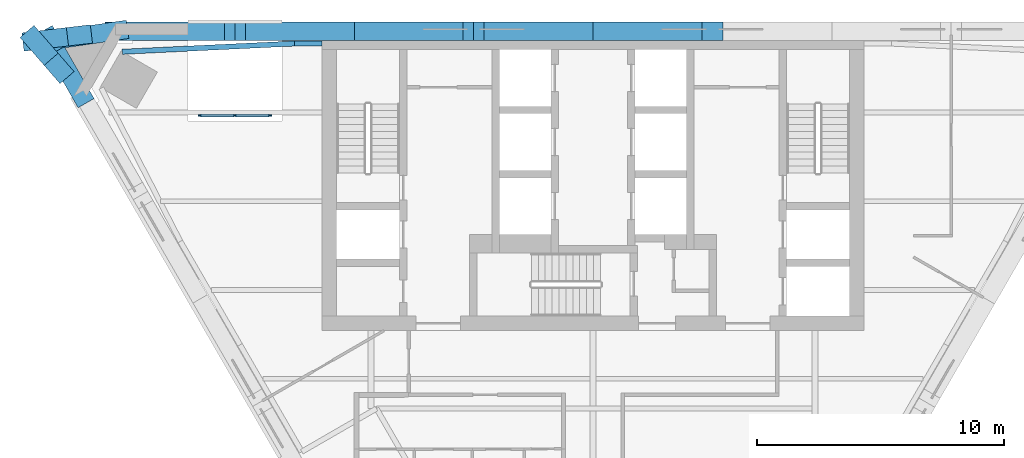
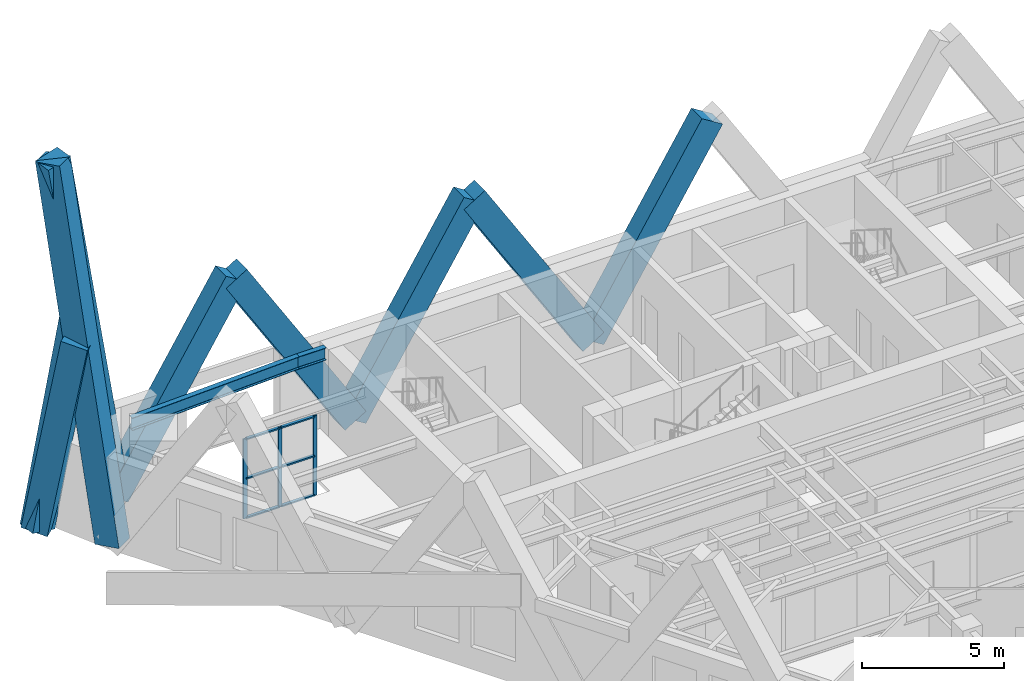
# One storey, part 2 of 9: 18 members, 2 beams, 1 element without a shape of its own.
"""IFC4 building model written with IfcOpenShell, lengths in metres."""

import ifcopenshell
import ifcopenshell.guid

model = None  # the IFC model being written
_history = None  # IfcOwnerHistory: only IFC2X3 demands one
_inside = {}  # id of a spatial element -> (the spatial element, [elements in it])
_under = {}  # id of a project, library or spatial element -> (it, [spatial elements below it])
_declared = {}  # id of a project -> (the project, [libraries it declares])
_typed = {}  # id of a type object -> (the type object, [elements of that type])
_made_of = {}  # id of a material, layer set ... -> (it, [elements and type objects made of it])


def new_model(schema):
    """Start an empty IFC model of exactly this schema.

    Asked for "IFC4X3", IfcOpenShell would pick the latest addendum, in which some entities
    have other attributes; the version numbers below select the first issue.
    IFC2X3 requires an IfcOwnerHistory on every rooted entity: one is made here for all.
    """
    global model, _history
    if schema == "IFC4X3":
        model = ifcopenshell.file(schema_version=(4, 3, 0, 0))
    else:
        model = ifcopenshell.file(schema=schema)
    _inside.clear()
    _under.clear()
    _declared.clear()
    _typed.clear()
    _made_of.clear()
    _history = None
    if model.schema == "IFC2X3":
        org = make("IfcOrganization", Name="unknown")
        user = make(
            "IfcPersonAndOrganization",
            ThePerson=make("IfcPerson", FamilyName="unknown"),
            TheOrganization=org,
        )
        app = make(
            "IfcApplication",
            ApplicationDeveloper=org,
            Version="unknown",
            ApplicationFullName="unknown",
            ApplicationIdentifier="unknown",
        )
        _history = make(
            "IfcOwnerHistory",
            OwningUser=user,
            OwningApplication=app,
            ChangeAction="ADDED",
            CreationDate=0,
        )
    return model


def make(cls, **values):
    """One entity of the class cls with the attributes given. An attribute that is None is left unset."""
    return model.create_entity(
        cls, **{name: value for name, value in values.items() if value is not None}
    )


def rooted(cls, **values):
    """An entity with a GlobalId (a new one), such as an element, a storey or a relation."""
    return make(cls, GlobalId=ifcopenshell.guid.new(), OwnerHistory=_history, **values)


def si_unit(unit_type, name, prefix=None):
    """IfcSIUnit, for example si_unit("LENGTHUNIT", "METRE", prefix="MILLI")."""
    return make("IfcSIUnit", UnitType=unit_type, Prefix=prefix, Name=name)


def assignment(units):
    """IfcUnitAssignment: the units of a project."""
    return None if units is None else make("IfcUnitAssignment", Units=units)


def point(xyz):
    """IfcCartesianPoint."""
    return None if xyz is None else make("IfcCartesianPoint", Coordinates=xyz)


def direction(xyz):
    """IfcDirection."""
    return None if xyz is None else make("IfcDirection", DirectionRatios=xyz)


def frame(location, z_axis=None, x_axis=None):
    """IfcAxis2Placement3D, a coordinate frame: its origin and axes. An axis left out is left unset."""
    return make(
        "IfcAxis2Placement3D",
        Location=point(location),
        Axis=direction(z_axis),
        RefDirection=direction(x_axis),
    )


def frame_2d(location, x_axis=None):
    """IfcAxis2Placement2D, a coordinate frame in the plane: its origin and x axis."""
    return make(
        "IfcAxis2Placement2D", Location=point(location), RefDirection=direction(x_axis)
    )


def origin():
    """The frame at (0, 0, 0) with its axes left unset."""
    return frame((0.0, 0.0, 0.0))


def origin_2d():
    """The frame at (0, 0) in the plane with its x axis left unset."""
    return frame_2d((0.0, 0.0))


def place(relative_to, where):
    """IfcLocalPlacement: puts the frame where relative to a parent placement (None: the world)."""
    return make(
        "IfcLocalPlacement", PlacementRelTo=relative_to, RelativePlacement=where
    )


def context(
    kind, dimensions, precision=None, world=None, true_north=None, identifier=None
):
    """IfcGeometricRepresentationContext, for example the 3D "Model" context."""
    return make(
        "IfcGeometricRepresentationContext",
        ContextIdentifier=identifier,
        ContextType=kind,
        CoordinateSpaceDimension=dimensions,
        Precision=precision,
        WorldCoordinateSystem=world,
        TrueNorth=true_north,
    )


def subcontext(parent, identifier, kind, view, scale=None):
    """IfcGeometricRepresentationSubContext, for example "Body" below "Model"."""
    return make(
        "IfcGeometricRepresentationSubContext",
        ContextIdentifier=identifier,
        ContextType=kind,
        ParentContext=parent,
        TargetScale=scale,
        TargetView=view,
    )


def project(units=None, contexts=None):
    """IfcProject with its units and contexts."""
    return rooted(
        "IfcProject",
        Name="project",
        RepresentationContexts=contexts,
        UnitsInContext=assignment(units),
    )


def spatial(cls, under=None, at=None, **own):
    """A site, building, storey or space (cls), placed at a placement, below another one or the project."""
    s = rooted(cls, ObjectPlacement=at, **own)
    if under is not None:
        _under.setdefault(under.id(), (under, []))[1].append(s)
    return s


def profile(cls, at=None, kind="AREA", **sizes):
    """A parametric profile (cls). Its sizes go by their IFC names, for example OverallWidth=200.0."""
    return make(cls, ProfileType=kind, Position=at, **sizes)


def rectangle(**sizes):
    """IfcRectangleProfileDef."""
    return profile("IfcRectangleProfileDef", **sizes)


def i_section(**sizes):
    """IfcIShapeProfileDef."""
    return profile("IfcIShapeProfileDef", **sizes)


def extrude(swept, where, along, depth):
    """IfcExtrudedAreaSolid: the profile swept, set in the frame where, extruded along a direction by depth."""
    return make(
        "IfcExtrudedAreaSolid",
        SweptArea=swept,
        Position=where,
        ExtrudedDirection=direction(along),
        Depth=depth,
    )


def shape(context_of_items, identifier, shape_type, items):
    """IfcShapeRepresentation: the items that make up one representation, for example the "Body"."""
    return make(
        "IfcShapeRepresentation",
        ContextOfItems=context_of_items,
        RepresentationIdentifier=identifier,
        RepresentationType=shape_type,
        Items=items,
    )


def material(Name=None, Category=None):
    """IfcMaterial."""
    return make("IfcMaterial", Name=Name, Category=Category)


def material_profile(
    of_material, cross_section, Name=None, Category=None, Priority=None
):
    """IfcMaterialProfile: a cross section and its material."""
    return make(
        "IfcMaterialProfile",
        Name=Name,
        Material=of_material,
        Profile=cross_section,
        Priority=Priority,
        Category=Category,
    )


def profile_set(profiles, Name=None, composite=None):
    """IfcMaterialProfileSet."""
    return make(
        "IfcMaterialProfileSet",
        Name=Name,
        MaterialProfiles=profiles,
        CompositeProfile=composite,
    )


def made_of(thing, what):
    """Note that an element or type object is made of a material, layer set ...; save() writes the relation."""
    if what is not None:
        _made_of.setdefault(what.id(), (what, []))[1].append(thing)
    return thing


def type_object(cls, material=None, **own):
    """A type object (cls), such as IfcWallType, which elements share."""
    return made_of(rooted(cls, **own), material)


def element(
    cls,
    number,
    at=None,
    inside=None,
    cuts=None,
    type_object=None,
    material=None,
    context=None,
    identifier="Body",
    shape_type=None,
    held_by="IfcProductDefinitionShape",
    body=None,
    shapes=None,
    **own,
):
    """One element of the class cls, such as IfcWall. Its Tag is "e" and its number.

    at: its placement. inside: the storey or other place that contains it. cuts: it is an
    opening in that element (IfcRelVoidsElement). A single representation is given by context,
    identifier, shape_type and body (its items); several are given by shapes. held_by: the class
    of the entity that holds the representations. save() writes the other relations.
    """
    e = rooted(cls, Tag="e%d" % number, ObjectPlacement=at, **own)
    if body is not None:
        shapes = [shape(context, identifier, shape_type, body)]
    if shapes is not None:
        e.Representation = make(held_by, Representations=shapes)
    if inside is not None:
        _inside.setdefault(inside.id(), (inside, []))[1].append(e)
    if cuts is not None:
        rooted(
            "IfcRelVoidsElement", RelatingBuildingElement=cuts, RelatedOpeningElement=e
        )
    if type_object is not None:
        _typed.setdefault(type_object.id(), (type_object, []))[1].append(e)
    return made_of(e, material)


def aggregate(whole, parts):
    """IfcRelAggregates: a whole, such as a stair, and the parts it consists of."""
    return rooted("IfcRelAggregates", RelatingObject=whole, RelatedObjects=parts)


def save(model, path):
    """Write the relations noted so far, then the file.

    IfcRelAggregates (storeys below a building ...), IfcRelContainedInSpatialStructure (elements
    in a storey), IfcRelDefinesByType, IfcRelAssociatesMaterial and IfcRelDeclares: one each for
    every whole, place, type object, material and project.
    """
    for whole, parts in _under.values():
        aggregate(whole, parts)
    for where, things in _inside.values():
        rooted(
            "IfcRelContainedInSpatialStructure",
            RelatedElements=things,
            RelatingStructure=where,
        )
    for kind, things in _typed.values():
        rooted("IfcRelDefinesByType", RelatedObjects=things, RelatingType=kind)
    for what, things in _made_of.values():
        rooted("IfcRelAssociatesMaterial", RelatedObjects=things, RelatingMaterial=what)
    for by, libraries in _declared.values():
        rooted("IfcRelDeclares", RelatingContext=by, RelatedDefinitions=libraries)
    model.write(path)


model = new_model("IFC4")

# Units and contexts
model_context = context("Model", 3, precision=1e-05, world=origin(), true_north=direction((0.0, 1.0)))
body_context = subcontext(model_context, "Body", "Model", "MODEL_VIEW")
ifc_project = project(units=[si_unit("LENGTHUNIT", "METRE"), si_unit("AREAUNIT", "SQUARE_METRE"), si_unit("VOLUMEUNIT", "CUBIC_METRE"), si_unit("PLANEANGLEUNIT", "RADIAN"), si_unit("MASSUNIT", "GRAM", prefix="KILO")], contexts=[model_context])

# Site, building, storey
site_placement = place(None, origin())
site = spatial("IfcSite", under=ifc_project, at=site_placement, CompositionType="ELEMENT")
building_placement = place(site_placement, origin())
building = spatial("IfcBuilding", under=site, at=building_placement, Name="Aloe Facet Convention Tower", CompositionType="ELEMENT")
storey_placement = place(building_placement, frame((0.0, 0.0, 195.800048828125)))
storey = spatial("IfcBuildingStorey", under=building, at=storey_placement, Name="L49", CompositionType="ELEMENT", Elevation=195.800048828125)

# Curtain wall, members
ifc_material_1 = material(Name="Aluminium, anodised", Category="aluminium")
curtain_wall_type = type_object("IfcCurtainWallType", Name="EV-CW-TERRACE", PredefinedType="USERDEFINED", material=ifc_material_1)
curtain_wall_placement = place(storey_placement, origin())
curtain_wall = element("IfcCurtainWall", 1, at=curtain_wall_placement, inside=storey, type_object=curtain_wall_type, Name="CW-T10", ObjectType="TERRACE BACK GLAZING", PredefinedType="USERDEFINED")
ifc_material_2 = material(Name="Aluminium, anodised", Category="aluminium")
ifc_material_profile_1 = material_profile(ifc_material_2, rectangle(XDim=0.06005859375, YDim=0.14990234375, at=origin_2d()), Name="AL 60x150")
ifc_profile_set_1 = profile_set([ifc_material_profile_1], Name="Aluminium, anodised")
member_type_1 = type_object("IfcMemberType", Name="EV-MULL-TERRACE", PredefinedType="MULLION", material=ifc_profile_set_1)
member_1_placement = place(storey_placement, frame((66.896484375, 131.27490234375, -0.150146484375), z_axis=(0.0, 0.0, 1.0), x_axis=(0.0, -1.0, 0.0)))
member_1 = element("IfcMember", 2, at=member_1_placement, type_object=member_type_1, Name="CW-T10 mullion 1", PredefinedType="MULLION", context=body_context, shape_type="SweptSolid", body=[
    extrude(rectangle(XDim=0.06005859375, YDim=0.14990234375, at=origin_2d()), origin(), (0.0, 0.0, 1.0), 3.440185546875),
])
member_2_placement = place(storey_placement, frame((65.4765625, 131.27490234375, -0.150146484375), z_axis=(0.0, 0.0, 1.0), x_axis=(0.0, -1.0, 0.0)))
member_2 = element("IfcMember", 3, at=member_2_placement, type_object=member_type_1, Name="CW-T10 mullion 2", PredefinedType="MULLION", context=body_context, shape_type="SweptSolid", body=[
    extrude(rectangle(XDim=0.06005859375, YDim=0.14990234375, at=origin_2d()), origin(), (0.0, 0.0, 1.0), 3.440185546875),
])
member_3_placement = place(storey_placement, frame((64.056640625, 131.27490234375, -0.150146484375), z_axis=(0.0, 0.0, 1.0), x_axis=(0.0, -1.0, 0.0)))
member_3 = element("IfcMember", 4, at=member_3_placement, type_object=member_type_1, Name="CW-T10 mullion 3", PredefinedType="MULLION", context=body_context, shape_type="SweptSolid", body=[
    extrude(rectangle(XDim=0.06005859375, YDim=0.14990234375, at=origin_2d()), origin(), (0.0, 0.0, 1.0), 3.440185546875),
])
ifc_material_3 = material(Name="Aluminium, anodised", Category="aluminium")
ifc_material_profile_2 = material_profile(ifc_material_3, rectangle(XDim=0.1201171875, YDim=0.06005859375, at=origin_2d()), Name="AL 120x60")
ifc_profile_set_2 = profile_set([ifc_material_profile_2], Name="Aluminium, anodised")
member_type_2 = type_object("IfcMemberType", Name="EV-TRAN-TERRACE", PredefinedType="USERDEFINED", material=ifc_profile_set_2)
member_4_placement = place(storey_placement, frame((66.866455078125, 131.27490234375, -0.1201171875), z_axis=(-1.0, 0.0, 0.0), x_axis=(0.0, -1.0, 0.0)))
member_4 = element("IfcMember", 5, at=member_4_placement, type_object=member_type_2, Name="CW-T10 transom 1.1", ObjectType="TRANSOM", PredefinedType="USERDEFINED", context=body_context, shape_type="SweptSolid", body=[
    extrude(rectangle(XDim=0.1201171875, YDim=0.06005859375, at=origin_2d()), origin(), (0.0, 0.0, 1.0), 1.35986328125),
])
member_5_placement = place(storey_placement, frame((66.866455078125, 131.27490234375, 1.570068359375), z_axis=(-1.0, 0.0, 0.0), x_axis=(0.0, -1.0, 0.0)))
member_5 = element("IfcMember", 6, at=member_5_placement, type_object=member_type_2, Name="CW-T10 transom 1.2", ObjectType="TRANSOM", PredefinedType="USERDEFINED", context=body_context, shape_type="SweptSolid", body=[
    extrude(rectangle(XDim=0.1201171875, YDim=0.06005859375, at=origin_2d()), origin(), (0.0, 0.0, 1.0), 1.35986328125),
])
member_6_placement = place(storey_placement, frame((66.866455078125, 131.27490234375, 3.260009765625), z_axis=(-1.0, 0.0, 0.0), x_axis=(0.0, -1.0, 0.0)))
member_6 = element("IfcMember", 7, at=member_6_placement, type_object=member_type_2, Name="CW-T10 transom 1.3", ObjectType="TRANSOM", PredefinedType="USERDEFINED", context=body_context, shape_type="SweptSolid", body=[
    extrude(rectangle(XDim=0.1201171875, YDim=0.06005859375, at=origin_2d()), origin(), (0.0, 0.0, 1.0), 1.35986328125),
])
member_7_placement = place(storey_placement, frame((65.446533203125, 131.27490234375, -0.1201171875), z_axis=(-1.0, 0.0, 0.0), x_axis=(0.0, -1.0, 0.0)))
member_7 = element("IfcMember", 8, at=member_7_placement, type_object=member_type_2, Name="CW-T10 transom 2.1", ObjectType="TRANSOM", PredefinedType="USERDEFINED", context=body_context, shape_type="SweptSolid", body=[
    extrude(rectangle(XDim=0.1201171875, YDim=0.06005859375, at=origin_2d()), origin(), (0.0, 0.0, 1.0), 1.360107421875),
])
member_8_placement = place(storey_placement, frame((65.446533203125, 131.27490234375, 1.570068359375), z_axis=(-1.0, 0.0, 0.0), x_axis=(0.0, -1.0, 0.0)))
member_8 = element("IfcMember", 9, at=member_8_placement, type_object=member_type_2, Name="CW-T10 transom 2.2", ObjectType="TRANSOM", PredefinedType="USERDEFINED", context=body_context, shape_type="SweptSolid", body=[
    extrude(rectangle(XDim=0.1201171875, YDim=0.06005859375, at=origin_2d()), origin(), (0.0, 0.0, 1.0), 1.360107421875),
])
member_9_placement = place(storey_placement, frame((65.446533203125, 131.27490234375, 3.260009765625), z_axis=(-1.0, 0.0, 0.0), x_axis=(0.0, -1.0, 0.0)))
member_9 = element("IfcMember", 10, at=member_9_placement, type_object=member_type_2, Name="CW-T10 transom 2.3", ObjectType="TRANSOM", PredefinedType="USERDEFINED", context=body_context, shape_type="SweptSolid", body=[
    extrude(rectangle(XDim=0.1201171875, YDim=0.06005859375, at=origin_2d()), origin(), (0.0, 0.0, 1.0), 1.360107421875),
])
aggregate(curtain_wall, [member_1, member_2, member_3, member_4, member_5, member_6, member_7, member_8, member_9])

# Beams
ifc_material_4 = material(Name="Steel S355", Category="steel")
ifc_material_profile_3 = material_profile(ifc_material_4, i_section(OverallWidth=0.209228515625, OverallDepth=0.533203125, WebThickness=0.010009765625, FlangeThickness=0.015625, FilletRadius=0.0126953125, at=origin_2d()), Name="UB 533x210x92")
ifc_profile_set_3 = profile_set([ifc_material_profile_3], Name="Steel S355")
beam_type = type_object("IfcBeamType", Name="SF-B-UB533x210x92", PredefinedType="BEAM", material=ifc_profile_set_3)
beam_1_placement = place(storey_placement, frame((60.9072265625, 133.861572265625, 3.4833984375), z_axis=(0.998862131036, 0.047691122669, 0.0), x_axis=(-0.047691122669, 0.998862131036, 0.0)))
element("IfcBeam", 11, at=beam_1_placement, inside=storey, type_object=beam_type, Name="Floor beam FB-Z4E-001", PredefinedType="BEAM", context=body_context, shape_type="SweptSolid", body=[
    extrude(i_section(OverallWidth=0.209228515625, OverallDepth=0.533203125, WebThickness=0.010009765625, FlangeThickness=0.015625, FilletRadius=0.0126953125, at=origin_2d()), origin(), (0.0, 0.0, 1.0), 6.998046875),
])
beam_2_placement = place(storey_placement, frame((67.897216796875, 134.1953125, 3.4833984375), z_axis=(1.0, 0.0, 0.0), x_axis=(0.0, 1.0, 0.0)))
element("IfcBeam", 12, at=beam_2_placement, inside=storey, type_object=beam_type, Name="Floor beam FB-Z4E-004", PredefinedType="BEAM", context=body_context, shape_type="SweptSolid", body=[
    extrude(i_section(OverallWidth=0.209228515625, OverallDepth=0.533203125, WebThickness=0.010009765625, FlangeThickness=0.015625, FilletRadius=0.0126953125, at=origin_2d()), origin(), (0.0, 0.0, 1.0), 1.102783203125),
])

# Members
ifc_material_5 = material(Name="Concrete C60/75, bronze oxide finish", Category="concrete")
ifc_material_profile_4 = material_profile(ifc_material_5, rectangle(XDim=0.75, YDim=1.0, at=origin_2d()), Name="STW-LM")
ifc_profile_set_4 = profile_set([ifc_material_profile_4], Name="Concrete C60/75, bronze oxide finish")
member_type_3 = type_object("IfcMemberType", Name="STW-LM", PredefinedType="BRACE", material=ifc_profile_set_4)
for number, where, z_axis, x_axis, name in (
    (13, (80.0, 134.699951171875, 0.0), (0.52733571948, 0.0, 0.849657012541), (0.0, 1.0, 0.0), "Lattice member LM-Z4-F1-R2-04"),
    (14, (80.0, 134.699951171875, 0.0), (-0.52733571948, 0.0, 0.849657012541), (0.0, -1.0, 0.0), "Lattice member LM-Z4-F1-R2-05"),
):
    element("IfcMember", number, at=place(storey_placement, frame(where, z_axis=z_axis, x_axis=x_axis)), inside=storey, type_object=member_type_3, Name=name, PredefinedType="BRACE", context=body_context, shape_type="SweptSolid", body=[
        extrude(rectangle(XDim=0.75, YDim=1.0, at=origin_2d()), origin(), (0.0, 0.0, 1.0), 9.18017578125),
    ])
member_10_placement = place(storey_placement, frame((70.317626953125, 134.699951171875, 0.0), z_axis=(0.527354917858, 0.0, 0.849645096856), x_axis=(0.0, 1.0, 0.0)))
element("IfcMember", 15, at=member_10_placement, inside=storey, type_object=member_type_3, Name="Lattice member LM-Z4-F1-R2-06", PredefinedType="BRACE", context=body_context, shape_type="SweptSolid", body=[
    extrude(rectangle(XDim=0.75, YDim=1.0, at=origin_2d()), origin(), (0.0, 0.0, 1.0), 9.180419921875),
])
for number, where, z_axis, x_axis, name in (
    (16, (70.317626953125, 134.699951171875, 0.0), (-0.52733571948, 0.0, 0.849657012541), (0.0, -1.0, 0.0), "Lattice member LM-Z4-F1-R2-07"),
    (17, (60.635498046875, 134.699951171875, 0.0), (0.52733571948, 0.0, 0.849657012541), (0.0, 1.0, 0.0), "Lattice member LM-Z4-F1-R2-08"),
):
    element("IfcMember", number, at=place(storey_placement, frame(where, z_axis=z_axis, x_axis=x_axis)), inside=storey, type_object=member_type_3, Name=name, PredefinedType="BRACE", context=body_context, shape_type="SweptSolid", body=[
        extrude(rectangle(XDim=0.75, YDim=1.0, at=origin_2d()), origin(), (0.0, 0.0, 1.0), 9.18017578125),
    ])
member_11_placement = place(storey_placement, frame((60.635498046875, 134.699951171875, 0.0), z_axis=(-0.167222898352, -0.024525819424, 0.985614014941), x_axis=(0.145112996173, -0.989415089, 0.0)))
element("IfcMember", 18, at=member_11_placement, inside=storey, type_object=member_type_3, Name="Lattice member LM-Z4-F4-R2-01", PredefinedType="BRACE", context=body_context, shape_type="SweptSolid", body=[
    extrude(rectangle(XDim=0.75, YDim=1.0, at=origin_2d()), origin(), (0.0, 0.0, 1.0), 15.82763671875),
])
member_12_placement = place(storey_placement, frame((57.365966796875, 134.31298828125, 0.0), z_axis=(0.205075422994, 0.024284882274, 0.978444845342), x_axis=(-0.117597599607, 0.993061329711, 0.0)))
element("IfcMember", 19, at=member_12_placement, inside=storey, type_object=member_type_3, Name="Lattice member LM-Z4-F4-R2-02", PredefinedType="BRACE", context=body_context, shape_type="SweptSolid", body=[
    extrude(rectangle(XDim=0.75, YDim=1.0, at=origin_2d()), origin(), (0.0, 0.0, 1.0), 8.796630859375),
])
member_13_placement = place(storey_placement, frame((59.1953125, 132.20556640625, 0.0), z_axis=(-0.076423618638, 0.133408854308, 0.988110068822), x_axis=(-0.867710338002, -0.497070185511, 0.0)))
element("IfcMember", 20, at=member_13_placement, inside=storey, type_object=member_type_3, Name="Lattice member LM-Z4-F4-R2-03", PredefinedType="BRACE", context=body_context, shape_type="SweptSolid", body=[
    extrude(rectangle(XDim=0.75, YDim=1.0, at=origin_2d()), origin(), (0.0, 0.0, 1.0), 15.78759765625),
])
member_14_placement = place(storey_placement, frame((57.365966796875, 134.31298828125, 0.0), z_axis=(0.115440901352, -0.132997358551, 0.98437040839), x_axis=(0.755192780175, 0.655502757257, 0.0)))
element("IfcMember", 21, at=member_14_placement, inside=storey, type_object=member_type_3, Name="Lattice member LM-Z4-F4-R2-04", PredefinedType="BRACE", context=body_context, shape_type="SweptSolid", body=[
    extrude(rectangle(XDim=0.75, YDim=1.0, at=origin_2d()), origin(), (0.0, 0.0, 1.0), 8.482666015625),
])

save(model, "model.ifc")
